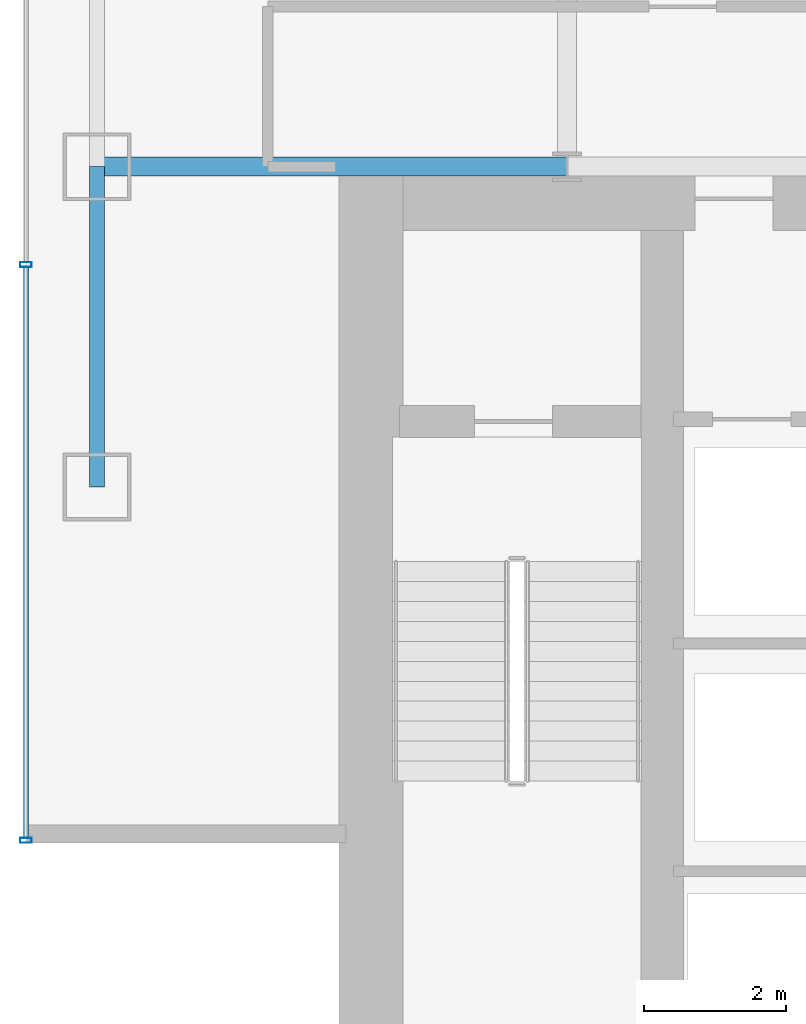
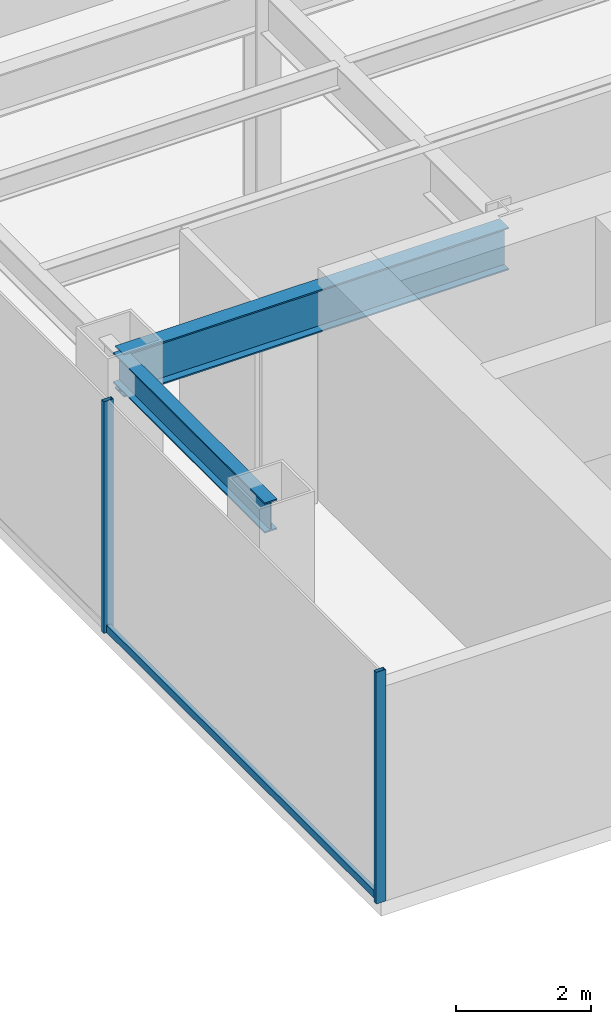
# One storey, part 2 of 35: 3 members, 2 beams, 1 element without a shape of its own.
"""IFC4 building model written with IfcOpenShell, lengths in metres."""

from ifc_helpers import new_model, si_unit, derived_unit, direction, frame, origin, origin_2d, place, context, subcontext, project, spatial, hollow_rectangle, i_section, extrude, source, transform, mapped, material, material_profile, profile_set, type_object, element, aggregate, save


model = new_model("IFC4")

# Units and contexts
model_context = context("Model", 3, precision=1e-05, world=origin(), true_north=direction((0.0, 1.0)))
body_context = subcontext(model_context, "Body", "Model", "MODEL_VIEW")
ifc_project = project(units=[si_unit("LENGTHUNIT", "METRE"), si_unit("AREAUNIT", "SQUARE_METRE"), si_unit("VOLUMEUNIT", "CUBIC_METRE"), si_unit("PLANEANGLEUNIT", "RADIAN"), si_unit("MASSUNIT", "GRAM", prefix="KILO"), derived_unit("THERMALTRANSMITTANCEUNIT", [(si_unit("POWERUNIT", "WATT"), 1), (si_unit("LENGTHUNIT", "METRE"), -2), (si_unit("THERMODYNAMICTEMPERATUREUNIT", "KELVIN"), -1)])], contexts=[model_context])

# Site, building, storey
site_placement = place(None, origin())
site = spatial("IfcSite", under=ifc_project, at=site_placement, CompositionType="ELEMENT")
building_placement = place(site_placement, origin())
building = spatial("IfcBuilding", under=site, at=building_placement, Name="Skarnbrae Concourse Arena and Tower", CompositionType="ELEMENT")
storey_placement = place(building_placement, frame((0.0, 0.0, 79.949951171875)))
storey = spatial("IfcBuildingStorey", under=building, at=storey_placement, Name="L19", CompositionType="ELEMENT", Elevation=79.949951171875)

# Beams
ifc_material_1 = material(Name="Steel CSA G40.21 350W", Category="steel")
ifc_material_profile_1 = material_profile(ifc_material_1, i_section(OverallWidth=0.26806640625, OverallDepth=0.77001953125, WebThickness=0.015625, FlangeThickness=0.025390625, at=origin_2d()), Name="W760X196")
ifc_profile_set_1 = profile_set([ifc_material_profile_1], Name="Steel CSA G40.21 350W")
beam_type_1 = type_object("IfcBeamType", Name="BM-GIRD-W760X196", PredefinedType="BEAM", material=ifc_profile_set_1)
shared_shape_1 = source(origin(), body_context, "Body", "SweptSolid", [
    extrude(i_section(OverallWidth=0.26806640625, OverallDepth=0.77001953125, WebThickness=0.015625, FlangeThickness=0.025390625, at=origin_2d()), origin(), (0.0, 0.0, 1.0), 6.60009765625),
])
beam_1_placement = place(storey_placement, frame((1.0, 14.0, 3.51513671875), z_axis=(1.0, 0.0, 0.0), x_axis=(0.0, 1.0, 0.0)))
element("IfcBeam", 1, at=beam_1_placement, inside=storey, type_object=beam_type_1, Name="L19 Primary E-W girder Y14.0-1", PredefinedType="BEAM", context=body_context, shape_type="MappedRepresentation", body=[
    mapped(shared_shape_1, transform((0.0, 0.0, 0.0))),
])
ifc_material_profile_2 = material_profile(ifc_material_1, i_section(OverallWidth=0.214111328125, OverallDepth=0.549072265625, WebThickness=0.0146484375, FlangeThickness=0.023681640625, at=origin_2d()), Name="W530X138")
ifc_profile_set_2 = profile_set([ifc_material_profile_2], Name="Steel CSA G40.21 350W")
beam_type_2 = type_object("IfcBeamType", Name="BM-SPAN-W530X138", PredefinedType="SPANDREL", material=ifc_profile_set_2)
shared_shape_2 = source(origin(), body_context, "Body", "SweptSolid", [
    extrude(i_section(OverallWidth=0.214111328125, OverallDepth=0.549072265625, WebThickness=0.0146484375, FlangeThickness=0.023681640625, at=origin_2d()), origin(), (0.0, 0.0, 1.0), 4.5),
])
beam_2_placement = place(storey_placement, frame((1.0, 9.5, 3.62548828125), z_axis=(0.0, 1.0, 0.0), x_axis=(-1.0, 0.0, 0.0)))
element("IfcBeam", 2, at=beam_2_placement, inside=storey, type_object=beam_type_2, Name="L19 Perimeter spandrel X1.0-1", PredefinedType="SPANDREL", context=body_context, shape_type="MappedRepresentation", body=[
    mapped(shared_shape_2, transform((0.0, 0.0, 0.0))),
])

# Curtain wall, members
ifc_material_2 = material(Name="Bronze anodised aluminium 6063-T6", Category="aluminium")
curtain_wall_type = type_object("IfcCurtainWallType", Name="CW-SYS-06-SKYLOBBY", PredefinedType="USERDEFINED", material=ifc_material_2)
curtain_wall_placement = place(storey_placement, origin())
curtain_wall = element("IfcCurtainWall", 3, at=curtain_wall_placement, inside=storey, type_object=curtain_wall_type, Name="L19 Unitised curtain wall CW-L19-E19", ObjectType="UNITISED CURTAIN WALL", PredefinedType="USERDEFINED")
ifc_material_profile_3 = material_profile(ifc_material_2, hollow_rectangle(XDim=0.070068359375, YDim=0.1650390625, WallThickness=0.00390625, at=origin_2d()), Name="ALU-MULL-70X165")
ifc_profile_set_3 = profile_set([ifc_material_profile_3], Name="Bronze anodised aluminium 6063-T6")
member_type_1 = type_object("IfcMemberType", Name="CWM-CW-06", PredefinedType="MULLION", material=ifc_profile_set_3)
shared_shape_3 = source(origin(), body_context, "Body", "SweptSolid", [
    extrude(hollow_rectangle(XDim=0.070068359375, YDim=0.1650390625, WallThickness=0.00390625, at=origin_2d()), origin(), (0.0, 0.0, 1.0), 4.199951171875),
])
member_1_placement = place(storey_placement, frame((0.0, 12.625, 0.0), z_axis=(0.0, 0.0, 1.0), x_axis=(0.0, -1.0, 0.0)))
member_1 = element("IfcMember", 4, at=member_1_placement, type_object=member_type_1, Name="CW-L19-E19 Mullion 4", PredefinedType="MULLION", context=body_context, shape_type="MappedRepresentation", body=[
    mapped(shared_shape_3, transform((0.0, 0.0, 0.0))),
])
member_2_placement = place(storey_placement, frame((0.0, 4.534912109375, 0.0), z_axis=(0.0, 0.0, 1.0), x_axis=(0.0, -1.0, 0.0)))
member_2 = element("IfcMember", 5, at=member_2_placement, type_object=member_type_1, Name="CW-L19-E19 Mullion 5", PredefinedType="MULLION", context=body_context, shape_type="MappedRepresentation", body=[
    mapped(shared_shape_3, transform((0.0, 0.0, 0.0))),
])
ifc_material_profile_4 = material_profile(ifc_material_2, hollow_rectangle(XDim=0.070068359375, YDim=0.135009765625, WallThickness=0.00390625, at=origin_2d()), Name="ALU-TRAN-70X135")
ifc_profile_set_4 = profile_set([ifc_material_profile_4], Name="Bronze anodised aluminium 6063-T6")
member_type_2 = type_object("IfcMemberType", Name="CWT-CW-06", PredefinedType="USERDEFINED", material=ifc_profile_set_4)
shared_shape_4 = source(origin(), body_context, "Body", "SweptSolid", [
    extrude(hollow_rectangle(XDim=0.070068359375, YDim=0.135009765625, WallThickness=0.00390625, at=origin_2d()), origin(), (0.0, 0.0, 1.0), 8.02001953125),
])
member_3_placement = place(storey_placement, frame((0.0, 12.590087890625, 0.067626953125), z_axis=(0.0, -1.0, 0.0), x_axis=(1.0, 0.0, 0.0)))
member_3 = element("IfcMember", 6, at=member_3_placement, type_object=member_type_2, Name="CW-L19-E19 Transom 4", ObjectType="TRANSOM", PredefinedType="USERDEFINED", context=body_context, shape_type="MappedRepresentation", body=[
    mapped(shared_shape_4, transform((0.0, 0.0, 0.0))),
])
aggregate(curtain_wall, [member_1, member_2, member_3])

save(model, "model.ifc")
